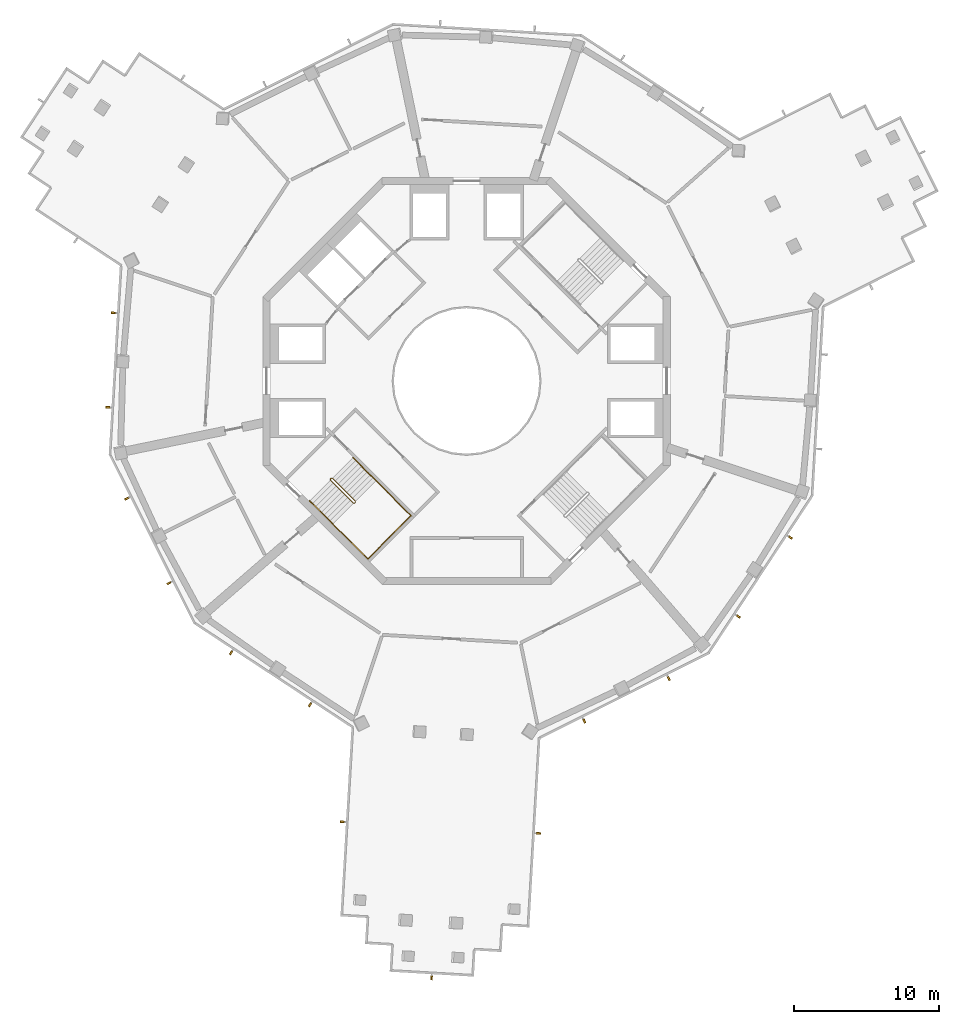
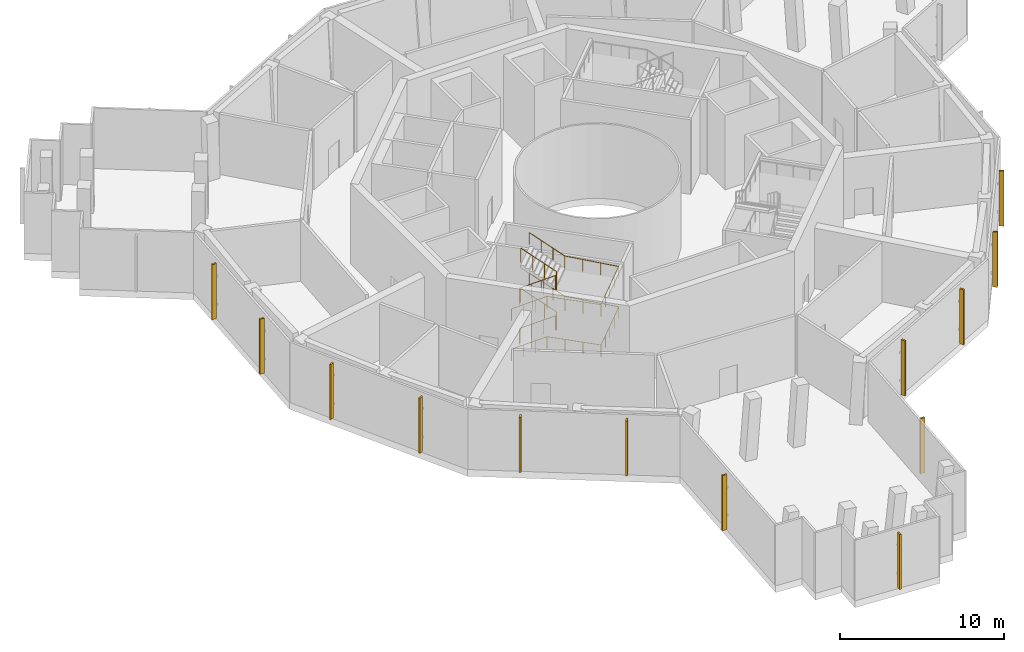
# One storey, part 14 of 16: 13 shading devices, 3 railings.
"""IFC4 building model written with IfcOpenShell, lengths in metres."""

from ifc_helpers import new_model, si_unit, direction, frame, origin, origin_2d, place, context, subcontext, project, spatial, rectangle, circle, extrude, material, material_profile, profile_set, type_object, element, save


model = new_model("IFC4")

# Units and contexts
model_context = context("Model", 3, precision=1e-05, world=origin(), true_north=direction((0.0, 1.0)))
body_context = subcontext(model_context, "Body", "Model", "MODEL_VIEW")
ifc_project = project(units=[si_unit("LENGTHUNIT", "METRE"), si_unit("AREAUNIT", "SQUARE_METRE"), si_unit("VOLUMEUNIT", "CUBIC_METRE"), si_unit("PLANEANGLEUNIT", "RADIAN"), si_unit("MASSUNIT", "GRAM", prefix="KILO")], contexts=[model_context])

# Site, building, storey
site_placement = place(None, origin())
site = spatial("IfcSite", under=ifc_project, at=site_placement, CompositionType="ELEMENT")
building_placement = place(site_placement, origin())
building = spatial("IfcBuilding", under=site, at=building_placement, Name="Verdalira Terraces Hotel", CompositionType="ELEMENT")
storey_placement = place(building_placement, frame((0.0, 0.0, 263.0)))
storey = spatial("IfcBuildingStorey", under=building, at=storey_placement, Name="L65", CompositionType="ELEMENT", Elevation=263.0)

# Railings
ifc_material_1 = material(Name="Stainless steel", Category="steel")
railing_type_1 = type_object("IfcRailingType", Name="Stair guard 1100", PredefinedType="GUARDRAIL", material=ifc_material_1)
railing_1_placement = place(storey_placement, frame((-9.369141, -6.75293, 0.0)))
element("IfcRailing", 1, at=railing_1_placement, inside=storey, type_object=railing_type_1, Name="L65 ST2 stair guard 1", PredefinedType="GUARDRAIL", context=body_context, shape_type="SweptSolid", body=[
    extrude(circle(Radius=0.023926, at=origin_2d()), frame((0.0, 0.0, 1.076172), z_axis=(0.707106781, 0.707106781, 0.0), x_axis=(-0.707106781, 0.707106781, 0.0)), (0.0, 0.0, 1.0), 0.100098),
    extrude(circle(Radius=0.023926, at=origin_2d()), frame((0.070801, 0.070801, 1.076172), z_axis=(-0.308122069, -0.615181649, 0.725680598), x_axis=(0.894118129, -0.447831187, 0.0)), (0.0, 0.0, 1.0), 0.229736),
    extrude(circle(Radius=0.023926, at=origin_2d()), frame((0.0, -0.070557, 1.242676), z_axis=(0.607628069, -0.607628069, 0.511445266), x_axis=(0.707106781, 0.707106781, 0.0)), (0.0, 0.0, 1.0), 2.606934),
    extrude(circle(Radius=0.023926, at=origin_2d()), frame((1.583984, -1.654541, 2.576172), z_axis=(1.0, 0.0, 0.0), x_axis=(0.0, 1.0, 0.0)), (0.0, 0.0, 1.0), 0.070557),
    extrude(circle(Radius=0.023926, at=origin_2d()), frame((1.654541, -1.654541, 2.576172), z_axis=(0.707106781, 0.707106781, 0.0), x_axis=(-0.707106781, 0.707106781, 0.0)), (0.0, 0.0, 1.0), 0.100098),
    extrude(circle(Radius=0.023926, at=origin_2d()), frame((1.725342, -1.58374, 2.576172), z_axis=(0.0, 0.389683978, 0.92094864), x_axis=(-1.0, 0.0, 0.0)), (0.0, 0.0, 1.0), 0.181152),
    extrude(circle(Radius=0.023926, at=origin_2d()), frame((1.725342, -1.513184, 2.742676), z_axis=(-0.607628069, 0.607628069, 0.511445266), x_axis=(-0.707106781, -0.707106781, 0.0)), (0.0, 0.0, 1.0), 2.606934),
    extrude(circle(Radius=0.023926, at=origin_2d()), frame((0.141357, 0.070801, 4.076172), z_axis=(-1.0, 0.0, 0.0), x_axis=(0.0, -1.0, 0.0)), (0.0, 0.0, 1.0), 0.070557),
    extrude(circle(Radius=0.023926, at=origin_2d()), frame((0.070801, 0.070801, 4.076172), z_axis=(-0.707106781, -0.707106781, 0.0), x_axis=(0.707106781, -0.707106781, 0.0)), (0.0, 0.0, 1.0), 0.100098),
    extrude(circle(Radius=0.023926, at=origin_2d()), frame((0.0, 0.0, 4.076172), z_axis=(0.0, -0.389683978, 0.92094864), x_axis=(1.0, 0.0, 0.0)), (0.0, 0.0, 1.0), 0.181152),
    extrude(circle(Radius=0.023926, at=origin_2d()), frame((0.0, -0.070557, 4.242676), z_axis=(0.607628069, -0.607628069, 0.511445266), x_axis=(0.707106781, 0.707106781, 0.0)), (0.0, 0.0, 1.0), 2.606934),
    extrude(circle(Radius=0.023926, at=origin_2d()), frame((1.583984, -1.654541, 5.576172), z_axis=(1.0, 0.0, 0.0), x_axis=(0.0, 1.0, 0.0)), (0.0, 0.0, 1.0), 0.070557),
    extrude(circle(Radius=0.023926, at=origin_2d()), frame((1.654541, -1.654541, 5.576172), z_axis=(0.707106781, 0.707106781, 0.0), x_axis=(-0.707106781, 0.707106781, 0.0)), (0.0, 0.0, 1.0), 0.100098),
    extrude(circle(Radius=0.023926, at=origin_2d()), frame((1.725342, -1.58374, 5.576172), z_axis=(0.0, 0.389683978, 0.92094864), x_axis=(-1.0, 0.0, 0.0)), (0.0, 0.0, 1.0), 0.181152),
    extrude(circle(Radius=0.023926, at=origin_2d()), frame((1.725342, -1.513184, 5.742676), z_axis=(-0.607628069, 0.607628069, 0.511445266), x_axis=(-0.707106781, -0.707106781, 0.0)), (0.0, 0.0, 1.0), 2.606934),
    extrude(circle(Radius=0.020996, at=origin_2d()), origin(), (0.0, 0.0, 1.0), 1.052002),
    extrude(circle(Radius=0.020996, at=origin_2d()), frame((0.070801, 0.070801, 0.0)), (0.0, 0.0, 1.0), 1.052002),
    extrude(circle(Radius=0.020996, at=origin_2d()), frame((0.0, -0.070557, 0.166748)), (0.0, 0.0, 1.0), 1.052002),
    extrude(circle(Radius=0.020996, at=origin_2d()), frame((0.528076, -0.598633, 0.611084)), (0.0, 0.0, 1.0), 1.052002),
    extrude(circle(Radius=0.020996, at=origin_2d()), frame((1.055908, -1.126465, 1.055664)), (0.0, 0.0, 1.0), 1.052002),
    extrude(circle(Radius=0.020996, at=origin_2d()), frame((1.583984, -1.654541, 1.5)), (0.0, 0.0, 1.0), 1.052002),
    extrude(circle(Radius=0.020996, at=origin_2d()), frame((1.654541, -1.654541, 1.5)), (0.0, 0.0, 1.0), 1.052002),
    extrude(circle(Radius=0.020996, at=origin_2d()), frame((1.725342, -1.58374, 1.5)), (0.0, 0.0, 1.0), 1.052002),
    extrude(circle(Radius=0.020996, at=origin_2d()), frame((1.725342, -1.513184, 1.666748)), (0.0, 0.0, 1.0), 1.052002),
    extrude(circle(Radius=0.020996, at=origin_2d()), frame((1.197266, -0.985107, 2.111084)), (0.0, 0.0, 1.0), 1.052002),
    extrude(circle(Radius=0.020996, at=origin_2d()), frame((0.669434, -0.457275, 2.555664)), (0.0, 0.0, 1.0), 1.052002),
    extrude(circle(Radius=0.020996, at=origin_2d()), frame((0.141357, 0.070801, 3.0)), (0.0, 0.0, 1.0), 1.052002),
    extrude(circle(Radius=0.020996, at=origin_2d()), frame((0.070801, 0.070801, 3.0)), (0.0, 0.0, 1.0), 1.052002),
    extrude(circle(Radius=0.020996, at=origin_2d()), frame((0.0, 0.0, 3.0)), (0.0, 0.0, 1.0), 1.052002),
    extrude(circle(Radius=0.020996, at=origin_2d()), frame((0.0, -0.070557, 3.166748)), (0.0, 0.0, 1.0), 1.052002),
    extrude(circle(Radius=0.020996, at=origin_2d()), frame((0.528076, -0.598633, 3.611084)), (0.0, 0.0, 1.0), 1.052002),
    extrude(circle(Radius=0.020996, at=origin_2d()), frame((1.055908, -1.126465, 4.055664)), (0.0, 0.0, 1.0), 1.052002),
    extrude(circle(Radius=0.020996, at=origin_2d()), frame((1.583984, -1.654541, 4.5)), (0.0, 0.0, 1.0), 1.052002),
    extrude(circle(Radius=0.020996, at=origin_2d()), frame((1.654541, -1.654541, 4.5)), (0.0, 0.0, 1.0), 1.052002),
    extrude(circle(Radius=0.020996, at=origin_2d()), frame((1.725342, -1.58374, 4.5)), (0.0, 0.0, 1.0), 1.052002),
    extrude(circle(Radius=0.020996, at=origin_2d()), frame((1.725342, -1.513184, 4.666748)), (0.0, 0.0, 1.0), 1.052002),
    extrude(circle(Radius=0.020996, at=origin_2d()), frame((1.197266, -0.985107, 5.111084)), (0.0, 0.0, 1.0), 1.052002),
    extrude(circle(Radius=0.020996, at=origin_2d()), frame((0.669434, -0.457275, 5.555664)), (0.0, 0.0, 1.0), 1.052002),
    extrude(circle(Radius=0.020996, at=origin_2d()), frame((0.141357, 0.070801, 6.0)), (0.0, 0.0, 1.0), 1.052002),
])
ifc_material_2 = material(Name="Stainless steel", Category="steel")
railing_type_2 = type_object("IfcRailingType", Name="Stair handrail 900", PredefinedType="HANDRAIL", material=ifc_material_2)
railing_2_placement = place(storey_placement, frame((-10.783447, -8.237793, 0.166748)))
element("IfcRailing", 2, at=railing_2_placement, inside=storey, type_object=railing_type_2, Name="L65 ST2 stair handrail 1", PredefinedType="HANDRAIL", context=body_context, shape_type="SweptSolid", body=[
    extrude(circle(Radius=0.023926, at=origin_2d()), frame((0.0, 0.0, 0.875977), z_axis=(0.607628069, -0.607628069, 0.511445266), x_axis=(0.707106781, 0.707106781, 0.0)), (0.0, 0.0, 1.0), 2.606934),
    extrude(circle(Radius=0.023926, at=origin_2d()), frame((1.583984, -1.583984, 2.208984), z_axis=(0.707106781, -0.707106781, 0.0), x_axis=(0.707106781, 0.707106781, 0.0)), (0.0, 0.0, 1.0), 3.409912),
    extrude(circle(Radius=0.023926, at=origin_2d()), frame((3.995117, -3.995117, 2.208984), z_axis=(0.707135845, 0.707077716, 0.0), x_axis=(-0.707077716, 0.707135845, 0.0)), (0.0, 0.0, 1.0), 4.199951),
    extrude(circle(Radius=0.023926, at=origin_2d()), frame((6.965088, -1.025391, 2.208984), z_axis=(-0.706227142, 0.706298652, 0.048840942), x_axis=(-0.707142578, -0.707070983, 0.0)), (0.0, 0.0, 1.0), 3.414062),
    extrude(circle(Radius=0.023926, at=origin_2d()), frame((4.553955, 1.385986, 2.375977), z_axis=(-0.607662647, 0.607568988, 0.511474371), x_axis=(-0.707052281, -0.707161277, 0.0)), (0.0, 0.0, 1.0), 2.606689),
    extrude(circle(Radius=0.020996, at=origin_2d()), origin(), (0.0, 0.0, 1.0), 0.851807),
    extrude(circle(Radius=0.020996, at=origin_2d()), frame((0.528076, -0.528076, 0.444336)), (0.0, 0.0, 1.0), 0.851807),
    extrude(circle(Radius=0.020996, at=origin_2d()), frame((1.055908, -1.055908, 0.888916)), (0.0, 0.0, 1.0), 0.851807),
    extrude(circle(Radius=0.020996, at=origin_2d()), frame((1.583984, -1.583984, 1.333252)), (0.0, 0.0, 1.0), 0.851807),
    extrude(circle(Radius=0.020996, at=origin_2d()), frame((2.387695, -2.387695, 1.333252)), (0.0, 0.0, 1.0), 0.851807),
    extrude(circle(Radius=0.020996, at=origin_2d()), frame((3.191406, -3.191406, 1.333252)), (0.0, 0.0, 1.0), 0.851807),
    extrude(circle(Radius=0.020996, at=origin_2d()), frame((3.995117, -3.995117, 1.333252)), (0.0, 0.0, 1.0), 0.851807),
    extrude(circle(Radius=0.020996, at=origin_2d()), frame((4.737549, -3.252686, 1.333252)), (0.0, 0.0, 1.0), 0.851807),
    extrude(circle(Radius=0.020996, at=origin_2d()), frame((5.47998, -2.510254, 1.333252)), (0.0, 0.0, 1.0), 0.851807),
    extrude(circle(Radius=0.020996, at=origin_2d()), frame((6.222656, -1.767822, 1.333252)), (0.0, 0.0, 1.0), 0.851807),
    extrude(circle(Radius=0.020996, at=origin_2d()), frame((6.965088, -1.025391, 1.333252)), (0.0, 0.0, 1.0), 0.851807),
    extrude(circle(Radius=0.020996, at=origin_2d()), frame((6.161377, -0.22168, 1.388916)), (0.0, 0.0, 1.0), 0.851807),
    extrude(circle(Radius=0.020996, at=origin_2d()), frame((5.357666, 0.582275, 1.444336)), (0.0, 0.0, 1.0), 0.851807),
    extrude(circle(Radius=0.020996, at=origin_2d()), frame((4.553955, 1.385986, 1.5)), (0.0, 0.0, 1.0), 0.851807),
    extrude(circle(Radius=0.020996, at=origin_2d()), frame((4.025879, 1.913818, 1.944336)), (0.0, 0.0, 1.0), 0.851807),
    extrude(circle(Radius=0.020996, at=origin_2d()), frame((3.498047, 2.441895, 2.388916)), (0.0, 0.0, 1.0), 0.851807),
    extrude(circle(Radius=0.020996, at=origin_2d()), frame((2.969971, 2.969727, 2.833252)), (0.0, 0.0, 1.0), 0.851807),
])
railing_3_placement = place(storey_placement, frame((-10.783447, -8.237793, 3.166748)))
element("IfcRailing", 3, at=railing_3_placement, inside=storey, type_object=railing_type_2, Name="L65 ST2 stair handrail 2", PredefinedType="HANDRAIL", context=body_context, shape_type="SweptSolid", body=[
    extrude(circle(Radius=0.023926, at=origin_2d()), frame((0.0, 0.0, 0.875977), z_axis=(0.607628069, -0.607628069, 0.511445266), x_axis=(0.707106781, 0.707106781, 0.0)), (0.0, 0.0, 1.0), 2.606934),
    extrude(circle(Radius=0.023926, at=origin_2d()), frame((1.583984, -1.583984, 2.208984), z_axis=(0.707106781, -0.707106781, 0.0), x_axis=(0.707106781, 0.707106781, 0.0)), (0.0, 0.0, 1.0), 3.409912),
    extrude(circle(Radius=0.023926, at=origin_2d()), frame((3.995117, -3.995117, 2.208984), z_axis=(0.707135845, 0.707077716, 0.0), x_axis=(-0.707077716, 0.707135845, 0.0)), (0.0, 0.0, 1.0), 4.199951),
    extrude(circle(Radius=0.023926, at=origin_2d()), frame((6.965088, -1.025391, 2.208984), z_axis=(-0.706227142, 0.706298652, 0.048840942), x_axis=(-0.707142578, -0.707070983, 0.0)), (0.0, 0.0, 1.0), 3.414062),
    extrude(circle(Radius=0.023926, at=origin_2d()), frame((4.553955, 1.385986, 2.375977), z_axis=(-0.607662647, 0.607568988, 0.511474371), x_axis=(-0.707052281, -0.707161277, 0.0)), (0.0, 0.0, 1.0), 2.606689),
    extrude(circle(Radius=0.020996, at=origin_2d()), origin(), (0.0, 0.0, 1.0), 0.851807),
    extrude(circle(Radius=0.020996, at=origin_2d()), frame((0.528076, -0.528076, 0.444336)), (0.0, 0.0, 1.0), 0.851807),
    extrude(circle(Radius=0.020996, at=origin_2d()), frame((1.055908, -1.055908, 0.888916)), (0.0, 0.0, 1.0), 0.851807),
    extrude(circle(Radius=0.020996, at=origin_2d()), frame((1.583984, -1.583984, 1.333252)), (0.0, 0.0, 1.0), 0.851807),
    extrude(circle(Radius=0.020996, at=origin_2d()), frame((2.387695, -2.387695, 1.333252)), (0.0, 0.0, 1.0), 0.851807),
    extrude(circle(Radius=0.020996, at=origin_2d()), frame((3.191406, -3.191406, 1.333252)), (0.0, 0.0, 1.0), 0.851807),
    extrude(circle(Radius=0.020996, at=origin_2d()), frame((3.995117, -3.995117, 1.333252)), (0.0, 0.0, 1.0), 0.851807),
    extrude(circle(Radius=0.020996, at=origin_2d()), frame((4.737549, -3.252686, 1.333252)), (0.0, 0.0, 1.0), 0.851807),
    extrude(circle(Radius=0.020996, at=origin_2d()), frame((5.47998, -2.510254, 1.333252)), (0.0, 0.0, 1.0), 0.851807),
    extrude(circle(Radius=0.020996, at=origin_2d()), frame((6.222656, -1.767822, 1.333252)), (0.0, 0.0, 1.0), 0.851807),
    extrude(circle(Radius=0.020996, at=origin_2d()), frame((6.965088, -1.025391, 1.333252)), (0.0, 0.0, 1.0), 0.851807),
    extrude(circle(Radius=0.020996, at=origin_2d()), frame((6.161377, -0.22168, 1.388916)), (0.0, 0.0, 1.0), 0.851807),
    extrude(circle(Radius=0.020996, at=origin_2d()), frame((5.357666, 0.582275, 1.444336)), (0.0, 0.0, 1.0), 0.851807),
    extrude(circle(Radius=0.020996, at=origin_2d()), frame((4.553955, 1.385986, 1.5)), (0.0, 0.0, 1.0), 0.851807),
    extrude(circle(Radius=0.020996, at=origin_2d()), frame((4.025879, 1.913818, 1.944336)), (0.0, 0.0, 1.0), 0.851807),
    extrude(circle(Radius=0.020996, at=origin_2d()), frame((3.498047, 2.441895, 2.388916)), (0.0, 0.0, 1.0), 0.851807),
    extrude(circle(Radius=0.020996, at=origin_2d()), frame((2.969971, 2.969727, 2.833252)), (0.0, 0.0, 1.0), 0.851807),
])

# Shading devices
ifc_material_3 = material(Name="Terracotta frame", Category="masonry")
ifc_material_profile = material_profile(ifc_material_3, rectangle(XDim=0.120117, YDim=0.300049, at=origin_2d()), Name="FIN 120x300")
ifc_profile_set = profile_set([ifc_material_profile], Name="Terracotta frame")
shading_device_type = type_object("IfcShadingDeviceType", Name="Terracotta fin 120x300", PredefinedType="USERDEFINED", material=ifc_profile_set)
for number, where, z_axis, x_axis, name in (
    (4, (-24.275635, 4.680908, 0.199951), (0.0, 0.0, 1.0), (-0.058609456, -0.998280988, 0.0), "Terracotta fin"),
    (5, (-24.656738, -1.808105, 0.199951), (0.0, 0.0, 1.0), (-0.058609456, -0.998280988, 0.0), "Terracotta fin"),
    (6, (-23.36377, -8.084229, 0.199951), (0.0, 0.0, 1.0), (0.448383216, -0.893841424, 0.0), "Terracotta fin"),
    (7, (-20.449219, -13.894043, 0.199951), (0.0, 0.0, 1.0), (0.448383216, -0.893841424, 0.0), "Terracotta fin"),
    (8, (-16.19165, -18.682861, 0.199951), (0.0, 0.0, 1.0), (0.835231968, -0.549897772, 0.0), "Terracotta fin"),
    (9, (-10.762451, -22.257324, 0.199951), (0.0, 0.0, 1.0), (0.835231968, -0.549897772, 0.0), "Terracotta fin"),
    (10, (-8.540771, -30.302246, 0.199951), (0.0, 0.0, 1.0), (-0.058609456, -0.998280988, 0.0), "Terracotta fin"),
    (11, (-2.408447, -41.022461, 0.199951), (0.0, 0.0, 1.0), (0.998280988, -0.058609456, 0.0), "Terracotta fin"),
    (12, (4.936035, -31.093506, 0.199951), (0.0, 0.0, 1.0), (0.058609456, 0.998280988, 0.0), "Terracotta fin"),
    (13, (8.084229, -23.36377, 0.199951), (0.0, 0.0, 1.0), (0.893841424, 0.448383216, 0.0), "Terracotta fin"),
    (14, (13.894043, -20.449219, 0.199951), (0.0, 0.0, 1.0), (0.893841424, 0.448383216, 0.0), "Terracotta fin"),
    (15, (18.682861, -16.19165, 0.199951), (0.0, 0.0, 1.0), (0.549897772, 0.835231968, 0.0), "Terracotta fin"),
    (16, (22.257324, -10.762451, 0.199951), (0.0, 0.0, 1.0), (0.549897772, 0.835231968, 0.0), "Terracotta fin"),
):
    element("IfcShadingDevice", number, at=place(storey_placement, frame(where, z_axis=z_axis, x_axis=x_axis)), inside=storey, type_object=shading_device_type, Name=name, ObjectType="FIN", PredefinedType="USERDEFINED", context=body_context, shape_type="SweptSolid", body=[
        extrude(rectangle(XDim=0.120117, YDim=0.300049, at=origin_2d()), origin(), (0.0, 0.0, 1.0), 4.100098),
    ])

save(model, "model.ifc")
